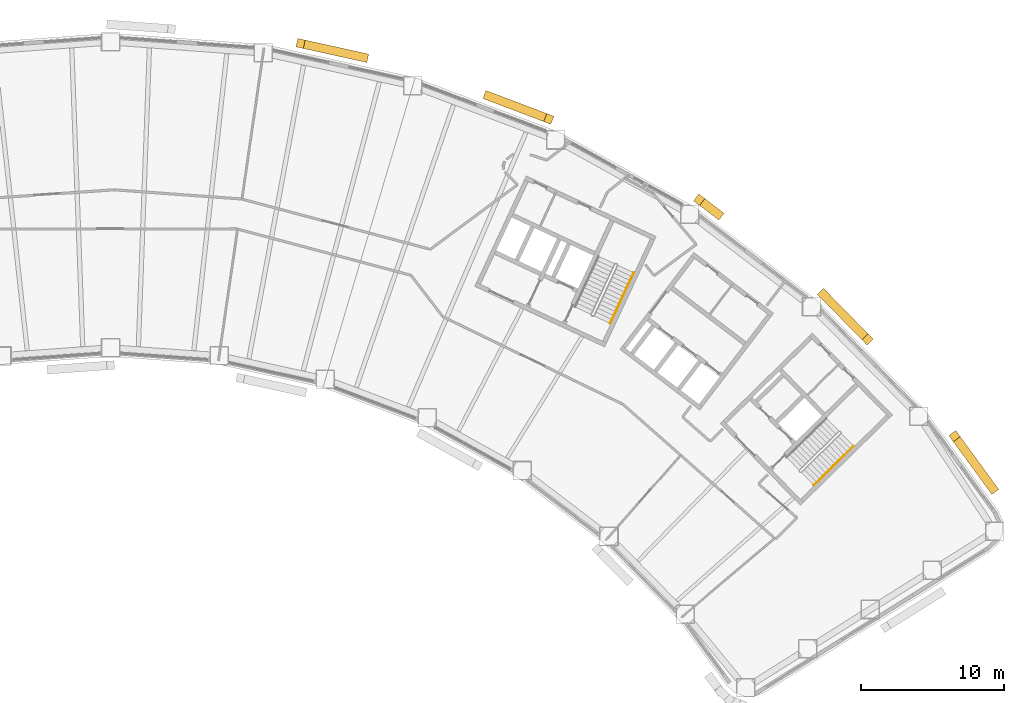
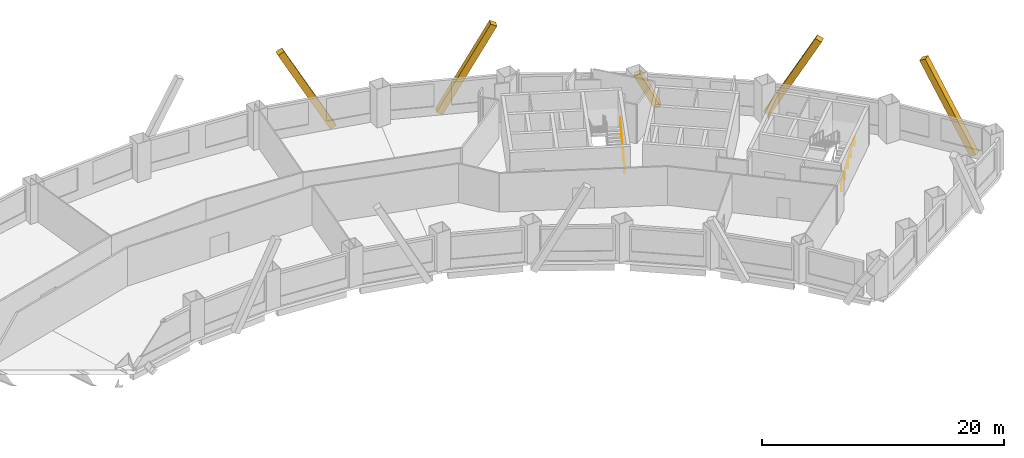
# One storey, part 11 of 11: 5 coverings, 2 railings.
"""IFC4 building model written with IfcOpenShell, lengths in metres."""

from ifc_helpers import new_model, si_unit, direction, frame, origin, origin_2d, place, context, subcontext, project, spatial, rectangle, circle, extrude, material, material_profile, profile_set, type_object, element, save


model = new_model("IFC4")

# Units and contexts
model_context = context("Model", 3, precision=1e-05, world=origin(), true_north=direction((0.0, 1.0)))
body_context = subcontext(model_context, "Body", "Model", "MODEL_VIEW")
ifc_project = project(units=[si_unit("LENGTHUNIT", "METRE"), si_unit("AREAUNIT", "SQUARE_METRE"), si_unit("VOLUMEUNIT", "CUBIC_METRE"), si_unit("PLANEANGLEUNIT", "RADIAN"), si_unit("MASSUNIT", "GRAM", prefix="KILO")], contexts=[model_context])

# Site, building, storey
site_placement = place(None, origin())
site = spatial("IfcSite", under=ifc_project, at=site_placement, CompositionType="ELEMENT")
building_placement = place(site_placement, origin())
building = spatial("IfcBuilding", under=site, at=building_placement, Name="Tuul Gate Civic Tower", CompositionType="ELEMENT")
storey_placement = place(building_placement, frame((0.0, 0.0, 39.89990234375)))
storey = spatial("IfcBuildingStorey", under=building, at=storey_placement, Name="Level 08", CompositionType="ELEMENT", Elevation=39.89990234375)

# Railings
ifc_material_1 = material(Name="Painted steel", Category="steel")
railing_type = type_object("IfcRailingType", Name="Stair handrail", PredefinedType="HANDRAIL", material=ifc_material_1)
railing_1_placement = place(storey_placement, frame((49.05126953125, -17.028076171875, 0.150146484375)))
element("IfcRailing", 1, at=railing_1_placement, inside=storey, type_object=railing_type, Name="Level 08 ST-3 stair handrail 1", PredefinedType="HANDRAIL", context=body_context, shape_type="SweptSolid", body=[
    extrude(circle(Radius=0.02392578125, at=origin_2d()), frame((0.0, 0.0, 0.8759765625), z_axis=(0.638753653487, 0.626099522554, 0.447205945863), x_axis=(-0.699997553204, 0.714145241186, 0.0)), (0.0, 0.0, 1.0), 4.3603515625),
    extrude(circle(Radius=0.02099609375, at=origin_2d()), origin(), (0.0, 0.0, 1.0), 0.851806640625),
    extrude(circle(Radius=0.02099609375, at=origin_2d()), frame((0.6962890625, 0.6826171875, 0.487548828125)), (0.0, 0.0, 1.0), 0.851806640625),
    extrude(circle(Radius=0.02099609375, at=origin_2d()), frame((1.392578125, 1.364990234375, 0.97509765625)), (0.0, 0.0, 1.0), 0.851806640625),
    extrude(circle(Radius=0.02099609375, at=origin_2d()), frame((2.0888671875, 2.04736328125, 1.46240234375)), (0.0, 0.0, 1.0), 0.851806640625),
    extrude(circle(Radius=0.02099609375, at=origin_2d()), frame((2.78515625, 2.72998046875, 1.949951171875)), (0.0, 0.0, 1.0), 0.851806640625),
])
railing_2_placement = place(storey_placement, frame((34.844970703125, -5.74267578125, 0.150146484375)))
element("IfcRailing", 2, at=railing_2_placement, inside=storey, type_object=railing_type, Name="Level 08 ST-4 stair handrail 1", PredefinedType="HANDRAIL", context=body_context, shape_type="SweptSolid", body=[
    extrude(circle(Radius=0.02392578125, at=origin_2d()), frame((0.0, 0.0, 0.8759765625), z_axis=(0.377994896215, 0.810636958585, 0.447199709091), x_axis=(-0.906312636903, 0.422607861012, 0.0)), (0.0, 0.0, 1.0), 4.3603515625),
    extrude(circle(Radius=0.02099609375, at=origin_2d()), origin(), (0.0, 0.0, 1.0), 0.851806640625),
    extrude(circle(Radius=0.02099609375, at=origin_2d()), frame((0.412109375, 0.8837890625, 0.487548828125)), (0.0, 0.0, 1.0), 0.851806640625),
    extrude(circle(Radius=0.02099609375, at=origin_2d()), frame((0.82421875, 1.767333984375, 0.97509765625)), (0.0, 0.0, 1.0), 0.851806640625),
    extrude(circle(Radius=0.02099609375, at=origin_2d()), frame((1.236083984375, 2.65087890625, 1.46240234375)), (0.0, 0.0, 1.0), 0.851806640625),
    extrude(circle(Radius=0.02099609375, at=origin_2d()), frame((1.648193359375, 3.53466796875, 1.949951171875)), (0.0, 0.0, 1.0), 0.851806640625),
])

# Coverings
ifc_material_2 = material(Name="Terracotta baguette", Category="masonry")
ifc_material_profile = material_profile(ifc_material_2, rectangle(XDim=0.60009765625, YDim=0.60009765625, at=origin_2d()), Name="Terracotta baguette screen frame")
ifc_profile_set = profile_set([ifc_material_profile], Name="Terracotta baguette")
covering_type = type_object("IfcCoveringType", Name="Terracotta baguette screen frame", PredefinedType="CLADDING", material=ifc_profile_set)
covering_1_placement = place(storey_placement, frame((61.5595703125, -17.285888671875, -0.349853515625), z_axis=(-0.281370554037, 0.385233710888, 0.878877465473), x_axis=(-0.807537279361, -0.589816532866, 0.0)))
element("IfcCovering", 3, at=covering_1_placement, inside=storey, type_object=covering_type, Name="Baguette 18", PredefinedType="CLADDING", context=body_context, shape_type="SweptSolid", body=[
    extrude(rectangle(XDim=0.60009765625, YDim=0.60009765625, at=origin_2d()), origin(), (0.0, 0.0, 1.0), 9.5576171875),
])
covering_2_placement = place(storey_placement, frame((52.805419921875, -6.864990234375, 8.050048828125), z_axis=(-0.332614870984, 0.339347542938, -0.879892375636), x_axis=(-0.714155733534, -0.699986848634, 0.0)))
element("IfcCovering", 4, at=covering_2_placement, inside=storey, type_object=covering_type, Name="Baguette 27", PredefinedType="CLADDING", context=body_context, shape_type="SweptSolid", body=[
    extrude(rectangle(XDim=0.60009765625, YDim=0.60009765625, at=origin_2d()), origin(), (0.0, 0.0, 1.0), 9.355712890625),
])
covering_3_placement = place(storey_placement, frame((42.4033203125, 1.86083984375, -0.349853515625), z_axis=(-0.378091075585, 0.287863234392, 0.879876069028), x_axis=(-0.605768691074, -0.795640806467, 0.0)))
element("IfcCovering", 5, at=covering_3_placement, inside=storey, type_object=covering_type, Name="Baguette 39", PredefinedType="CLADDING", context=body_context, shape_type="SweptSolid", body=[
    extrude(rectangle(XDim=0.60009765625, YDim=0.60009765625, at=origin_2d()), origin(), (0.0, 0.0, 1.0), 3.552734375),
])
for number, where, z_axis, x_axis, name in (
    (6, (30.569091796875, 8.5224609375, 8.050048828125), (-0.444471439649, 0.168044984461, -0.879889778628), (-0.353646511094, -0.935379145155, 0.0), "Baguette 51"),
    (7, (17.682373046875, 12.8056640625, -0.349853515625), (-0.464035558506, 0.102294970186, 0.879890186055), (-0.215277575, -0.976552899592, 0.0), "Baguette 60"),
):
    element("IfcCovering", number, at=place(storey_placement, frame(where, z_axis=z_axis, x_axis=x_axis)), inside=storey, type_object=covering_type, Name=name, PredefinedType="CLADDING", context=body_context, shape_type="SweptSolid", body=[
        extrude(rectangle(XDim=0.60009765625, YDim=0.60009765625, at=origin_2d()), origin(), (0.0, 0.0, 1.0), 9.546630859375),
    ])

save(model, "model.ifc")
